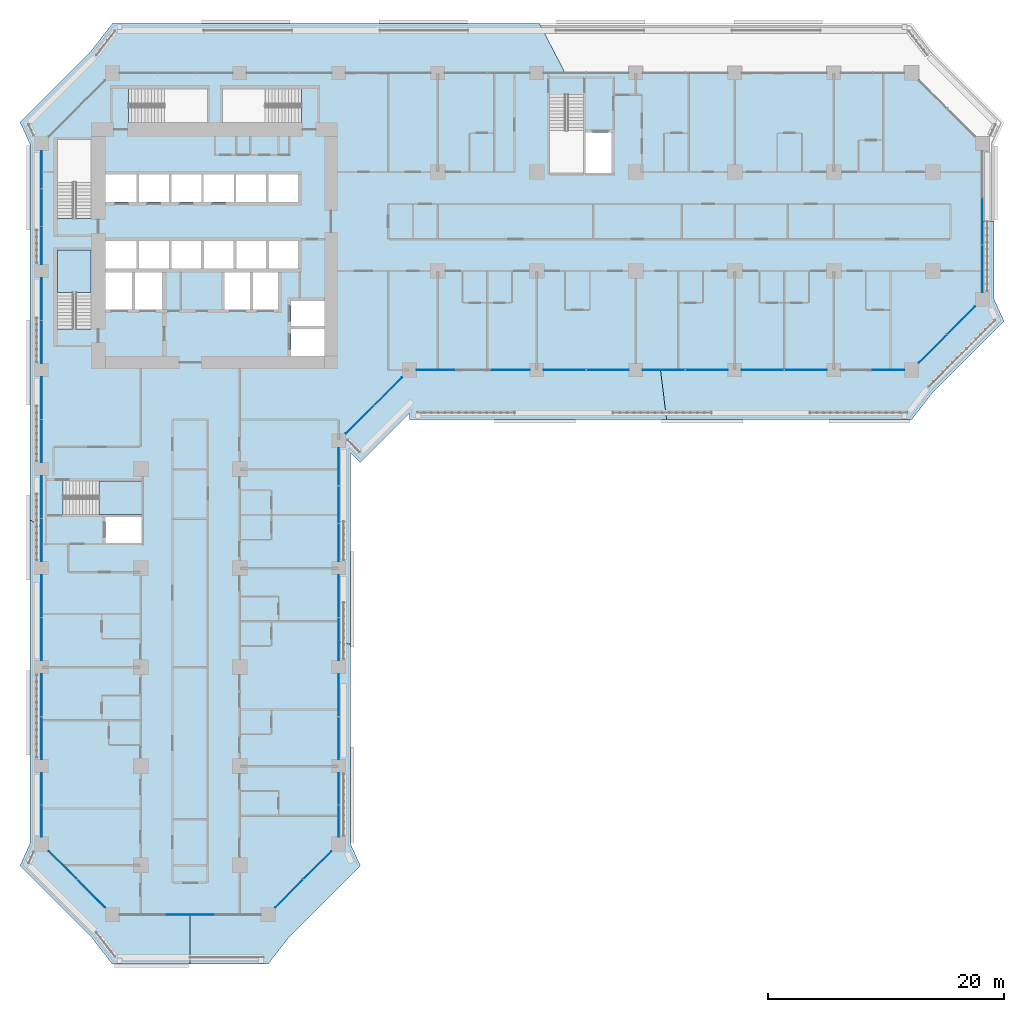
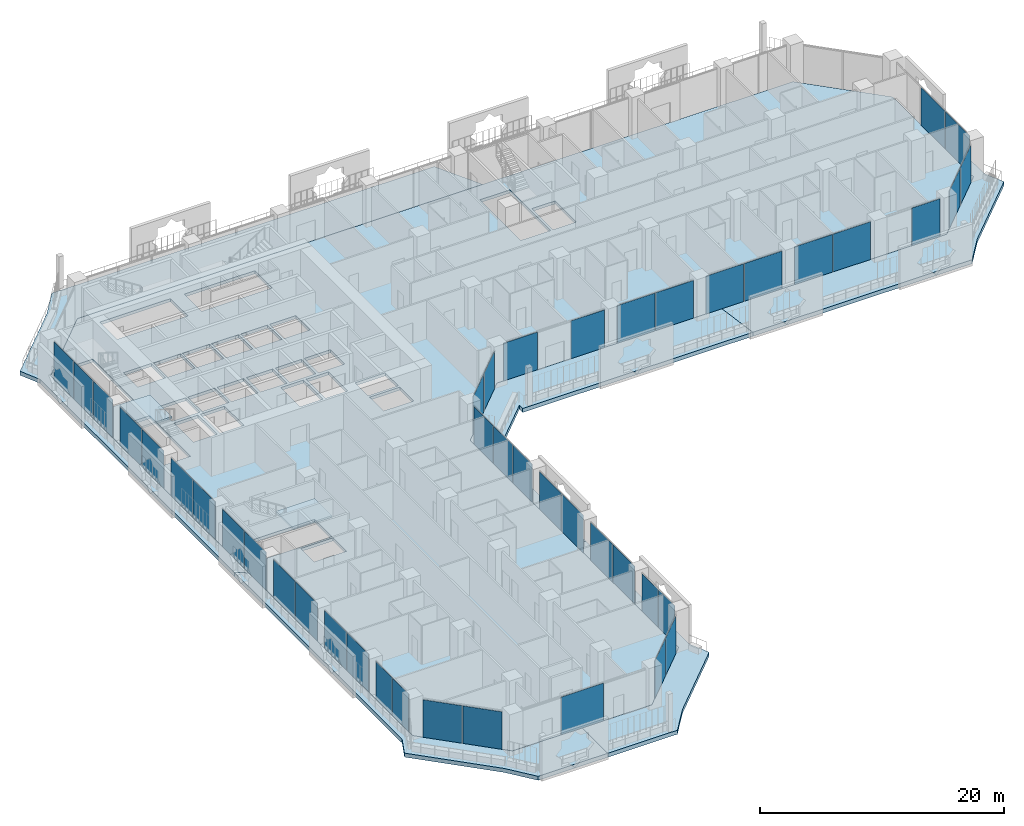
# One storey, part 11 of 29: 44 plates, 8 slabs, 11 elements without a shape of their own.
"""IFC4 building model written with IfcOpenShell, lengths in metres."""

from ifc_helpers import new_model, si_unit, direction, frame, origin, origin_2d, place, context, subcontext, project, spatial, polyline, rectangle, outline, extrude, material, layer, layer_set, type_object, element, aggregate, save


model = new_model("IFC4")

# Units and contexts
model_context = context("Model", 3, precision=1e-05, world=origin(), true_north=direction((0.0, 1.0)))
body_context = subcontext(model_context, "Body", "Model", "MODEL_VIEW")
ifc_project = project(units=[si_unit("LENGTHUNIT", "METRE"), si_unit("AREAUNIT", "SQUARE_METRE"), si_unit("VOLUMEUNIT", "CUBIC_METRE"), si_unit("PLANEANGLEUNIT", "RADIAN"), si_unit("MASSUNIT", "GRAM", prefix="KILO")], contexts=[model_context])

# Site, building, storey
site_placement = place(None, origin())
site = spatial("IfcSite", under=ifc_project, at=site_placement, CompositionType="ELEMENT")
building_placement = place(site_placement, origin())
building = spatial("IfcBuilding", under=site, at=building_placement, Name="Kawkab Arch Medical Tower", CompositionType="ELEMENT")
storey_placement = place(building_placement, frame((0.0, 0.0, 64.39990234375)))
storey = spatial("IfcBuildingStorey", under=building, at=storey_placement, Name="L14", CompositionType="ELEMENT", Elevation=64.39990234375)

# Curtain wall, plates
ifc_material_1 = material(Name="Bronze anodised aluminium curtain wall frame", Category="aluminium")
ifc_layer_1 = layer(ifc_material_1, 0.159912109375)
ifc_layer_set_1 = layer_set([ifc_layer_1], Name="Bronze anodised aluminium curtain wall frame")
curtain_wall_type_1 = type_object("IfcCurtainWallType", Name="CW1 ward curtain wall", PredefinedType="NOTDEFINED", material=ifc_layer_set_1)
placement_1 = place(storey_placement, origin())
curtain_wall_1 = element("IfcCurtainWall", 1, at=placement_1, inside=storey, type_object=curtain_wall_type_1, Name="CW1 Ward curtain wall R01", PredefinedType="NOTDEFINED")
ifc_material_2 = material(Name="Tinted insulating glass, bronze low-e coating", Category="glass")
ifc_layer_2 = layer(ifc_material_2, 0.031982421875)
ifc_layer_set_2 = layer_set([ifc_layer_2], Name="Tinted insulating glass, bronze low-e coating")
plate_type_1 = type_object("IfcPlateType", Name="CW1 glazing unit 32", PredefinedType="CURTAIN_PANEL", material=ifc_layer_set_2)
plate_1_placement = place(storey_placement, frame((0.0, -8.205810546875, 0.0), z_axis=(0.0, 0.0, 1.0), x_axis=(0.0, -1.0, 0.0)))
plate_1 = element("IfcPlate", 2, at=plate_1_placement, type_object=plate_type_1, Name="CW1 glazing unit 1.1", PredefinedType="CURTAIN_PANEL", context=body_context, shape_type="SweptSolid", body=[
    extrude(rectangle(XDim=3.16162109375, YDim=0.031982421875, at=origin_2d()), origin(), (0.0, 0.0, 1.0), 3.780029296875),
])
plate_2_placement = place(storey_placement, frame((0.0, -11.41259765625, 0.0), z_axis=(0.0, 0.0, 1.0), x_axis=(0.0, -1.0, 0.0)))
plate_2 = element("IfcPlate", 3, at=plate_2_placement, type_object=plate_type_1, Name="CW1 glazing unit 1.2", PredefinedType="CURTAIN_PANEL", context=body_context, shape_type="SweptSolid", body=[
    extrude(rectangle(XDim=3.131591796875, YDim=0.031982421875, at=origin_2d()), origin(), (0.0, 0.0, 1.0), 3.780029296875),
])
plate_3_placement = place(storey_placement, frame((0.0, -14.619140625, 0.0), z_axis=(0.0, 0.0, 1.0), x_axis=(0.0, -1.0, 0.0)))
plate_3 = element("IfcPlate", 4, at=plate_3_placement, type_object=plate_type_1, Name="CW1 glazing unit 1.3", PredefinedType="CURTAIN_PANEL", context=body_context, shape_type="SweptSolid", body=[
    extrude(rectangle(XDim=3.16162109375, YDim=0.031982421875, at=origin_2d()), origin(), (0.0, 0.0, 1.0), 3.780029296875),
])
plate_4_placement = place(storey_placement, frame((0.0, -19.18505859375, 0.0), z_axis=(0.0, 0.0, 1.0), x_axis=(0.0, -1.0, 0.0)))
plate_4 = element("IfcPlate", 5, at=plate_4_placement, type_object=plate_type_1, Name="CW1 glazing unit 2.1", PredefinedType="CURTAIN_PANEL", context=body_context, shape_type="SweptSolid", body=[
    extrude(rectangle(XDim=3.570068359375, YDim=0.031982421875, at=origin_2d()), origin(), (0.0, 0.0, 1.0), 3.780029296875),
])
plate_5_placement = place(storey_placement, frame((0.0, -22.81494140625, 0.0), z_axis=(0.0, 0.0, 1.0), x_axis=(0.0, -1.0, 0.0)))
plate_5 = element("IfcPlate", 6, at=plate_5_placement, type_object=plate_type_1, Name="CW1 glazing unit 2.2", PredefinedType="CURTAIN_PANEL", context=body_context, shape_type="SweptSolid", body=[
    extrude(rectangle(XDim=3.570068359375, YDim=0.031982421875, at=origin_2d()), origin(), (0.0, 0.0, 1.0), 3.780029296875),
])
plate_6_placement = place(storey_placement, frame((0.0, -27.5849609375, 0.0), z_axis=(0.0, 0.0, 1.0), x_axis=(0.0, -1.0, 0.0)))
plate_6 = element("IfcPlate", 7, at=plate_6_placement, type_object=plate_type_1, Name="CW1 glazing unit 3.1", PredefinedType="CURTAIN_PANEL", context=body_context, shape_type="SweptSolid", body=[
    extrude(rectangle(XDim=3.570068359375, YDim=0.031982421875, at=origin_2d()), origin(), (0.0, 0.0, 1.0), 3.780029296875),
])
plate_7_placement = place(storey_placement, frame((0.0, -31.215087890625, 0.0), z_axis=(0.0, 0.0, 1.0), x_axis=(0.0, -1.0, 0.0)))
plate_7 = element("IfcPlate", 8, at=plate_7_placement, type_object=plate_type_1, Name="CW1 glazing unit 3.2", PredefinedType="CURTAIN_PANEL", context=body_context, shape_type="SweptSolid", body=[
    extrude(rectangle(XDim=3.570068359375, YDim=0.031982421875, at=origin_2d()), origin(), (0.0, 0.0, 1.0), 3.780029296875),
])
plate_8_placement = place(storey_placement, frame((0.0, -35.985107421875, 0.0), z_axis=(0.0, 0.0, 1.0), x_axis=(0.0, -1.0, 0.0)))
plate_8 = element("IfcPlate", 9, at=plate_8_placement, type_object=plate_type_1, Name="CW1 glazing unit 4.1", PredefinedType="CURTAIN_PANEL", context=body_context, shape_type="SweptSolid", body=[
    extrude(rectangle(XDim=3.570068359375, YDim=0.031982421875, at=origin_2d()), origin(), (0.0, 0.0, 1.0), 3.780029296875),
])
plate_9_placement = place(storey_placement, frame((0.0, -39.614990234375, 0.0), z_axis=(0.0, 0.0, 1.0), x_axis=(0.0, -1.0, 0.0)))
plate_9 = element("IfcPlate", 10, at=plate_9_placement, type_object=plate_type_1, Name="CW1 glazing unit 4.2", PredefinedType="CURTAIN_PANEL", context=body_context, shape_type="SweptSolid", body=[
    extrude(rectangle(XDim=3.570068359375, YDim=0.031982421875, at=origin_2d()), origin(), (0.0, 0.0, 1.0), 3.780029296875),
])
plate_10_placement = place(storey_placement, frame((0.0, -44.385009765625, 0.0), z_axis=(0.0, 0.0, 1.0), x_axis=(0.0, -1.0, 0.0)))
plate_10 = element("IfcPlate", 11, at=plate_10_placement, type_object=plate_type_1, Name="CW1 glazing unit 5.1", PredefinedType="CURTAIN_PANEL", context=body_context, shape_type="SweptSolid", body=[
    extrude(rectangle(XDim=3.570068359375, YDim=0.031982421875, at=origin_2d()), origin(), (0.0, 0.0, 1.0), 3.780029296875),
])
plate_11_placement = place(storey_placement, frame((0.0, -48.014892578125, 0.0), z_axis=(0.0, 0.0, 1.0), x_axis=(0.0, -1.0, 0.0)))
plate_11 = element("IfcPlate", 12, at=plate_11_placement, type_object=plate_type_1, Name="CW1 glazing unit 5.2", PredefinedType="CURTAIN_PANEL", context=body_context, shape_type="SweptSolid", body=[
    extrude(rectangle(XDim=3.570068359375, YDim=0.031982421875, at=origin_2d()), origin(), (0.0, 0.0, 1.0), 3.780029296875),
])
plate_12_placement = place(storey_placement, frame((0.0, -52.784912109375, 0.0), z_axis=(0.0, 0.0, 1.0), x_axis=(0.0, -1.0, 0.0)))
plate_12 = element("IfcPlate", 13, at=plate_12_placement, type_object=plate_type_1, Name="CW1 glazing unit 6.1", PredefinedType="CURTAIN_PANEL", context=body_context, shape_type="SweptSolid", body=[
    extrude(rectangle(XDim=3.570068359375, YDim=0.031982421875, at=origin_2d()), origin(), (0.0, 0.0, 1.0), 3.780029296875),
])
plate_13_placement = place(storey_placement, frame((0.0, -56.4150390625, 0.0), z_axis=(0.0, 0.0, 1.0), x_axis=(0.0, -1.0, 0.0)))
plate_13 = element("IfcPlate", 14, at=plate_13_placement, type_object=plate_type_1, Name="CW1 glazing unit 6.2", PredefinedType="CURTAIN_PANEL", context=body_context, shape_type="SweptSolid", body=[
    extrude(rectangle(XDim=3.570068359375, YDim=0.031982421875, at=origin_2d()), origin(), (0.0, 0.0, 1.0), 3.780029296875),
])
plate_14_placement = place(storey_placement, frame((0.0, -60.728759765625, 0.0), z_axis=(0.0, 0.0, 1.0), x_axis=(0.0, -1.0, 0.0)))
plate_14 = element("IfcPlate", 15, at=plate_14_placement, type_object=plate_type_1, Name="CW1 glazing unit 7.1", PredefinedType="CURTAIN_PANEL", context=body_context, shape_type="SweptSolid", body=[
    extrude(rectangle(XDim=2.657470703125, YDim=0.031982421875, at=origin_2d()), origin(), (0.0, 0.0, 1.0), 3.780029296875),
])
plate_15_placement = place(storey_placement, frame((0.0, -63.4462890625, 0.0), z_axis=(0.0, 0.0, 1.0), x_axis=(0.0, -1.0, 0.0)))
plate_15 = element("IfcPlate", 16, at=plate_15_placement, type_object=plate_type_1, Name="CW1 glazing unit 7.2", PredefinedType="CURTAIN_PANEL", context=body_context, shape_type="SweptSolid", body=[
    extrude(rectangle(XDim=2.657470703125, YDim=0.031982421875, at=origin_2d()), origin(), (0.0, 0.0, 1.0), 3.780029296875),
])
aggregate(curtain_wall_1, [plate_1, plate_2, plate_3, plate_4, plate_5, plate_6, plate_7, plate_8, plate_9, plate_10, plate_11, plate_12, plate_13, plate_14, plate_15])

# Curtain wall, plate
curtain_wall_2 = element("IfcCurtainWall", 17, at=placement_1, inside=storey, type_object=curtain_wall_type_1, Name="CW1 Ward curtain wall R03", PredefinedType="NOTDEFINED")
plate_16_placement = place(storey_placement, frame((12.60009765625, -71.39990234375, 0.0), z_axis=(0.0, 0.0, 1.0), x_axis=(1.0, 0.0, 0.0)))
plate_16 = element("IfcPlate", 18, at=plate_16_placement, type_object=plate_type_1, Name="CW1 glazing unit 1.2", PredefinedType="CURTAIN_PANEL", context=body_context, shape_type="SweptSolid", body=[
    extrude(rectangle(XDim=3.9833984375, YDim=0.031982421875, at=origin_2d()), origin(), (0.0, 0.0, 1.0), 3.780029296875),
])
aggregate(curtain_wall_2, [plate_16])

# Curtain wall, plates
curtain_wall_3 = element("IfcCurtainWall", 19, at=placement_1, inside=storey, type_object=curtain_wall_type_1, Name="CW1 Ward curtain wall R05", PredefinedType="NOTDEFINED")
plate_17_placement = place(storey_placement, frame((25.199951171875, -63.4462890625, 0.0), z_axis=(0.0, 0.0, 1.0), x_axis=(0.0, 1.0, 0.0)))
plate_17 = element("IfcPlate", 20, at=plate_17_placement, type_object=plate_type_1, Name="CW1 glazing unit 1.1", PredefinedType="CURTAIN_PANEL", context=body_context, shape_type="SweptSolid", body=[
    extrude(rectangle(XDim=2.657470703125, YDim=0.031982421875, at=origin_2d()), origin(), (0.0, 0.0, 1.0), 3.780029296875),
])
plate_18_placement = place(storey_placement, frame((25.199951171875, -60.728759765625, 0.0), z_axis=(0.0, 0.0, 1.0), x_axis=(0.0, 1.0, 0.0)))
plate_18 = element("IfcPlate", 21, at=plate_18_placement, type_object=plate_type_1, Name="CW1 glazing unit 1.2", PredefinedType="CURTAIN_PANEL", context=body_context, shape_type="SweptSolid", body=[
    extrude(rectangle(XDim=2.657470703125, YDim=0.031982421875, at=origin_2d()), origin(), (0.0, 0.0, 1.0), 3.780029296875),
])
plate_19_placement = place(storey_placement, frame((25.199951171875, -56.4150390625, 0.0), z_axis=(0.0, 0.0, 1.0), x_axis=(0.0, 1.0, 0.0)))
plate_19 = element("IfcPlate", 22, at=plate_19_placement, type_object=plate_type_1, Name="CW1 glazing unit 2.1", PredefinedType="CURTAIN_PANEL", context=body_context, shape_type="SweptSolid", body=[
    extrude(rectangle(XDim=3.570068359375, YDim=0.031982421875, at=origin_2d()), origin(), (0.0, 0.0, 1.0), 3.780029296875),
])
plate_20_placement = place(storey_placement, frame((25.199951171875, -52.784912109375, 0.0), z_axis=(0.0, 0.0, 1.0), x_axis=(0.0, 1.0, 0.0)))
plate_20 = element("IfcPlate", 23, at=plate_20_placement, type_object=plate_type_1, Name="CW1 glazing unit 2.2", PredefinedType="CURTAIN_PANEL", context=body_context, shape_type="SweptSolid", body=[
    extrude(rectangle(XDim=3.570068359375, YDim=0.031982421875, at=origin_2d()), origin(), (0.0, 0.0, 1.0), 3.780029296875),
])
plate_21_placement = place(storey_placement, frame((25.199951171875, -48.014892578125, 0.0), z_axis=(0.0, 0.0, 1.0), x_axis=(0.0, 1.0, 0.0)))
plate_21 = element("IfcPlate", 24, at=plate_21_placement, type_object=plate_type_1, Name="CW1 glazing unit 3.1", PredefinedType="CURTAIN_PANEL", context=body_context, shape_type="SweptSolid", body=[
    extrude(rectangle(XDim=3.570068359375, YDim=0.031982421875, at=origin_2d()), origin(), (0.0, 0.0, 1.0), 3.780029296875),
])
plate_22_placement = place(storey_placement, frame((25.199951171875, -44.385009765625, 0.0), z_axis=(0.0, 0.0, 1.0), x_axis=(0.0, 1.0, 0.0)))
plate_22 = element("IfcPlate", 25, at=plate_22_placement, type_object=plate_type_1, Name="CW1 glazing unit 3.2", PredefinedType="CURTAIN_PANEL", context=body_context, shape_type="SweptSolid", body=[
    extrude(rectangle(XDim=3.570068359375, YDim=0.031982421875, at=origin_2d()), origin(), (0.0, 0.0, 1.0), 3.780029296875),
])
plate_23_placement = place(storey_placement, frame((25.199951171875, -39.819091796875, 0.0), z_axis=(0.0, 0.0, 1.0), x_axis=(0.0, 1.0, 0.0)))
plate_23 = element("IfcPlate", 26, at=plate_23_placement, type_object=plate_type_1, Name="CW1 glazing unit 4.1", PredefinedType="CURTAIN_PANEL", context=body_context, shape_type="SweptSolid", body=[
    extrude(rectangle(XDim=3.16162109375, YDim=0.031982421875, at=origin_2d()), origin(), (0.0, 0.0, 1.0), 3.780029296875),
])
plate_24_placement = place(storey_placement, frame((25.199951171875, -36.612548828125, 0.0), z_axis=(0.0, 0.0, 1.0), x_axis=(0.0, 1.0, 0.0)))
plate_24 = element("IfcPlate", 27, at=plate_24_placement, type_object=plate_type_1, Name="CW1 glazing unit 4.2", PredefinedType="CURTAIN_PANEL", context=body_context, shape_type="SweptSolid", body=[
    extrude(rectangle(XDim=3.131591796875, YDim=0.031982421875, at=origin_2d()), origin(), (0.0, 0.0, 1.0), 3.780029296875),
])
plate_25_placement = place(storey_placement, frame((25.199951171875, -33.40576171875, 0.0), z_axis=(0.0, 0.0, 1.0), x_axis=(0.0, 1.0, 0.0)))
plate_25 = element("IfcPlate", 28, at=plate_25_placement, type_object=plate_type_1, Name="CW1 glazing unit 4.3", PredefinedType="CURTAIN_PANEL", context=body_context, shape_type="SweptSolid", body=[
    extrude(rectangle(XDim=3.16162109375, YDim=0.031982421875, at=origin_2d()), origin(), (0.0, 0.0, 1.0), 3.780029296875),
])
aggregate(curtain_wall_3, [plate_17, plate_18, plate_19, plate_20, plate_21, plate_22, plate_23, plate_24, plate_25])

curtain_wall_4 = element("IfcCurtainWall", 29, at=placement_1, inside=storey, type_object=curtain_wall_type_1, Name="CW1 Ward curtain wall R07", PredefinedType="NOTDEFINED")
plate_26_placement = place(storey_placement, frame((33.4208984375, -25.199951171875, 0.0), z_axis=(0.0, 0.0, 1.0), x_axis=(1.0, 0.0, 0.0)))
plate_26 = element("IfcPlate", 30, at=plate_26_placement, type_object=plate_type_1, Name="CW1 glazing unit 1.1", PredefinedType="CURTAIN_PANEL", context=body_context, shape_type="SweptSolid", body=[
    extrude(rectangle(XDim=3.191650390625, YDim=0.031982421875, at=origin_2d()), origin(), (0.0, 0.0, 1.0), 3.780029296875),
])
plate_27_placement = place(storey_placement, frame((39.80419921875, -25.199951171875, 0.0), z_axis=(0.0, 0.0, 1.0), x_axis=(1.0, 0.0, 0.0)))
plate_27 = element("IfcPlate", 31, at=plate_27_placement, type_object=plate_type_1, Name="CW1 glazing unit 1.3", PredefinedType="CURTAIN_PANEL", context=body_context, shape_type="SweptSolid", body=[
    extrude(rectangle(XDim=3.191650390625, YDim=0.031982421875, at=origin_2d()), origin(), (0.0, 0.0, 1.0), 3.780029296875),
])
plate_28_placement = place(storey_placement, frame((44.385009765625, -25.199951171875, 0.0), z_axis=(0.0, 0.0, 1.0), x_axis=(1.0, 0.0, 0.0)))
plate_28 = element("IfcPlate", 32, at=plate_28_placement, type_object=plate_type_1, Name="CW1 glazing unit 2.1", PredefinedType="CURTAIN_PANEL", context=body_context, shape_type="SweptSolid", body=[
    extrude(rectangle(XDim=3.570068359375, YDim=0.031982421875, at=origin_2d()), origin(), (0.0, 0.0, 1.0), 3.780029296875),
])
plate_29_placement = place(storey_placement, frame((48.014892578125, -25.199951171875, 0.0), z_axis=(0.0, 0.0, 1.0), x_axis=(1.0, 0.0, 0.0)))
plate_29 = element("IfcPlate", 33, at=plate_29_placement, type_object=plate_type_1, Name="CW1 glazing unit 2.2", PredefinedType="CURTAIN_PANEL", context=body_context, shape_type="SweptSolid", body=[
    extrude(rectangle(XDim=3.570068359375, YDim=0.031982421875, at=origin_2d()), origin(), (0.0, 0.0, 1.0), 3.780029296875),
])
plate_30_placement = place(storey_placement, frame((52.784912109375, -25.199951171875, 0.0), z_axis=(0.0, 0.0, 1.0), x_axis=(1.0, 0.0, 0.0)))
plate_30 = element("IfcPlate", 34, at=plate_30_placement, type_object=plate_type_1, Name="CW1 glazing unit 3.1", PredefinedType="CURTAIN_PANEL", context=body_context, shape_type="SweptSolid", body=[
    extrude(rectangle(XDim=3.570068359375, YDim=0.031982421875, at=origin_2d()), origin(), (0.0, 0.0, 1.0), 3.780029296875),
])
plate_31_placement = place(storey_placement, frame((56.4150390625, -25.199951171875, 0.0), z_axis=(0.0, 0.0, 1.0), x_axis=(1.0, 0.0, 0.0)))
plate_31 = element("IfcPlate", 35, at=plate_31_placement, type_object=plate_type_1, Name="CW1 glazing unit 3.2", PredefinedType="CURTAIN_PANEL", context=body_context, shape_type="SweptSolid", body=[
    extrude(rectangle(XDim=3.570068359375, YDim=0.031982421875, at=origin_2d()), origin(), (0.0, 0.0, 1.0), 3.780029296875),
])
plate_32_placement = place(storey_placement, frame((61.18505859375, -25.199951171875, 0.0), z_axis=(0.0, 0.0, 1.0), x_axis=(1.0, 0.0, 0.0)))
plate_32 = element("IfcPlate", 36, at=plate_32_placement, type_object=plate_type_1, Name="CW1 glazing unit 4.1", PredefinedType="CURTAIN_PANEL", context=body_context, shape_type="SweptSolid", body=[
    extrude(rectangle(XDim=3.570068359375, YDim=0.031982421875, at=origin_2d()), origin(), (0.0, 0.0, 1.0), 3.780029296875),
])
plate_33_placement = place(storey_placement, frame((64.81494140625, -25.199951171875, 0.0), z_axis=(0.0, 0.0, 1.0), x_axis=(1.0, 0.0, 0.0)))
plate_33 = element("IfcPlate", 37, at=plate_33_placement, type_object=plate_type_1, Name="CW1 glazing unit 4.2", PredefinedType="CURTAIN_PANEL", context=body_context, shape_type="SweptSolid", body=[
    extrude(rectangle(XDim=3.570068359375, YDim=0.031982421875, at=origin_2d()), origin(), (0.0, 0.0, 1.0), 3.780029296875),
])
plate_34_placement = place(storey_placement, frame((71.831298828125, -25.199951171875, 0.0), z_axis=(0.0, 0.0, 1.0), x_axis=(1.0, 0.0, 0.0)))
plate_34 = element("IfcPlate", 38, at=plate_34_placement, type_object=plate_type_1, Name="CW1 glazing unit 5.2", PredefinedType="CURTAIN_PANEL", context=body_context, shape_type="SweptSolid", body=[
    extrude(rectangle(XDim=2.6875, YDim=0.031982421875, at=origin_2d()), origin(), (0.0, 0.0, 1.0), 3.780029296875),
])
aggregate(curtain_wall_4, [plate_26, plate_27, plate_28, plate_29, plate_30, plate_31, plate_32, plate_33, plate_34])

curtain_wall_5 = element("IfcCurtainWall", 39, at=placement_1, inside=storey, type_object=curtain_wall_type_1, Name="CW1 Ward curtain wall R09", PredefinedType="NOTDEFINED")
plate_35_placement = place(storey_placement, frame((79.800048828125, -16.598388671875, 0.0), z_axis=(0.0, 0.0, 1.0), x_axis=(0.0, 1.0, 0.0)))
plate_35 = element("IfcPlate", 40, at=plate_35_placement, type_object=plate_type_1, Name="CW1 glazing unit 1.1", PredefinedType="CURTAIN_PANEL", context=body_context, shape_type="SweptSolid", body=[
    extrude(rectangle(XDim=3.953369140625, YDim=0.031982421875, at=origin_2d()), origin(), (0.0, 0.0, 1.0), 3.780029296875),
])
plate_36_placement = place(storey_placement, frame((79.800048828125, -12.60009765625, 0.0), z_axis=(0.0, 0.0, 1.0), x_axis=(0.0, 1.0, 0.0)))
plate_36 = element("IfcPlate", 41, at=plate_36_placement, type_object=plate_type_1, Name="CW1 glazing unit 1.2", PredefinedType="CURTAIN_PANEL", context=body_context, shape_type="SweptSolid", body=[
    extrude(rectangle(XDim=3.92333984375, YDim=0.031982421875, at=origin_2d()), origin(), (0.0, 0.0, 1.0), 3.780029296875),
])
aggregate(curtain_wall_5, [plate_35, plate_36])

ifc_material_3 = material(Name="Bronze anodised aluminium curtain wall frame", Category="aluminium")
ifc_layer_3 = layer(ifc_material_3, 0.159912109375)
ifc_layer_set_3 = layer_set([ifc_layer_3], Name="Bronze anodised aluminium curtain wall frame")
curtain_wall_type_2 = type_object("IfcCurtainWallType", Name="CW2 chamfer curtain wall", PredefinedType="NOTDEFINED", material=ifc_layer_set_3)
curtain_wall_6 = element("IfcCurtainWall", 42, at=placement_1, inside=storey, type_object=curtain_wall_type_2, Name="CW2 Chamfer curtain wall R02", PredefinedType="NOTDEFINED")
ifc_material_4 = material(Name="Tinted insulating glass, bronze low-e coating", Category="glass")
ifc_layer_4 = layer(ifc_material_4, 0.031982421875)
ifc_layer_set_4 = layer_set([ifc_layer_4], Name="Tinted insulating glass, bronze low-e coating")
plate_type_2 = type_object("IfcPlateType", Name="CW2 glazing unit 32", PredefinedType="CURTAIN_PANEL", material=ifc_layer_set_4)
plate_37_placement = place(storey_placement, frame((1.802001953125, -67.201904296875, 0.0), z_axis=(0.0, 0.0, 1.0), x_axis=(0.707106781187, -0.707106781187, 0.0)))
plate_37 = element("IfcPlate", 43, at=plate_37_placement, type_object=plate_type_2, Name="CW2 glazing unit 1.1", PredefinedType="CURTAIN_PANEL", context=body_context, shape_type="SweptSolid", body=[
    extrude(rectangle(XDim=3.328857421875, YDim=0.031982421875, at=origin_2d()), origin(), (0.0, 0.0, 1.0), 3.760009765625),
])
plate_38_placement = place(storey_placement, frame((4.197998046875, -69.59814453125, 0.0), z_axis=(0.0, 0.0, 1.0), x_axis=(0.707106781187, -0.707106781187, 0.0)))
plate_38 = element("IfcPlate", 44, at=plate_38_placement, type_object=plate_type_2, Name="CW2 glazing unit 1.2", PredefinedType="CURTAIN_PANEL", context=body_context, shape_type="SweptSolid", body=[
    extrude(rectangle(XDim=3.328857421875, YDim=0.031982421875, at=origin_2d()), origin(), (0.0, 0.0, 1.0), 3.760009765625),
])
aggregate(curtain_wall_6, [plate_37, plate_38])

curtain_wall_7 = element("IfcCurtainWall", 45, at=placement_1, inside=storey, type_object=curtain_wall_type_2, Name="CW2 Chamfer curtain wall R04", PredefinedType="NOTDEFINED")
plate_39_placement = place(storey_placement, frame((21.001953125, -69.59814453125, 0.0), z_axis=(0.0, 0.0, 1.0), x_axis=(0.707106781187, 0.707106781187, 0.0)))
plate_39 = element("IfcPlate", 46, at=plate_39_placement, type_object=plate_type_2, Name="CW2 glazing unit 1.1", PredefinedType="CURTAIN_PANEL", context=body_context, shape_type="SweptSolid", body=[
    extrude(rectangle(XDim=3.328857421875, YDim=0.031982421875, at=origin_2d()), origin(), (0.0, 0.0, 1.0), 3.760009765625),
])
plate_40_placement = place(storey_placement, frame((23.398193359375, -67.201904296875, 0.0), z_axis=(0.0, 0.0, 1.0), x_axis=(0.707106781187, 0.707106781187, 0.0)))
plate_40 = element("IfcPlate", 47, at=plate_40_placement, type_object=plate_type_2, Name="CW2 glazing unit 1.2", PredefinedType="CURTAIN_PANEL", context=body_context, shape_type="SweptSolid", body=[
    extrude(rectangle(XDim=3.328857421875, YDim=0.031982421875, at=origin_2d()), origin(), (0.0, 0.0, 1.0), 3.760009765625),
])
aggregate(curtain_wall_7, [plate_39, plate_40])

curtain_wall_8 = element("IfcCurtainWall", 48, at=placement_1, inside=storey, type_object=curtain_wall_type_2, Name="CW2 Chamfer curtain wall R06", PredefinedType="NOTDEFINED")
plate_41_placement = place(storey_placement, frame((27.001953125, -29.398193359375, 0.0), z_axis=(0.0, 0.0, 1.0), x_axis=(0.707106781187, 0.707106781187, 0.0)))
plate_41 = element("IfcPlate", 49, at=plate_41_placement, type_object=plate_type_2, Name="CW2 glazing unit 1.1", PredefinedType="CURTAIN_PANEL", context=body_context, shape_type="SweptSolid", body=[
    extrude(rectangle(XDim=3.328857421875, YDim=0.031982421875, at=origin_2d()), origin(), (0.0, 0.0, 1.0), 3.760009765625),
])
plate_42_placement = place(storey_placement, frame((29.398193359375, -27.001953125, 0.0), z_axis=(0.0, 0.0, 1.0), x_axis=(0.707106781187, 0.707106781187, 0.0)))
plate_42 = element("IfcPlate", 50, at=plate_42_placement, type_object=plate_type_2, Name="CW2 glazing unit 1.2", PredefinedType="CURTAIN_PANEL", context=body_context, shape_type="SweptSolid", body=[
    extrude(rectangle(XDim=3.328857421875, YDim=0.031982421875, at=origin_2d()), origin(), (0.0, 0.0, 1.0), 3.760009765625),
])
aggregate(curtain_wall_8, [plate_41, plate_42])

curtain_wall_9 = element("IfcCurtainWall", 51, at=placement_1, inside=storey, type_object=curtain_wall_type_2, Name="CW2 Chamfer curtain wall R08", PredefinedType="NOTDEFINED")
plate_43_placement = place(storey_placement, frame((75.601806640625, -23.398193359375, 0.0), z_axis=(0.0, 0.0, 1.0), x_axis=(0.707106781187, 0.707106781187, 0.0)))
plate_43 = element("IfcPlate", 52, at=plate_43_placement, type_object=plate_type_2, Name="CW2 glazing unit 1.1", PredefinedType="CURTAIN_PANEL", context=body_context, shape_type="SweptSolid", body=[
    extrude(rectangle(XDim=3.328857421875, YDim=0.031982421875, at=origin_2d()), origin(), (0.0, 0.0, 1.0), 3.760009765625),
])
plate_44_placement = place(storey_placement, frame((77.998046875, -21.001953125, 0.0), z_axis=(0.0, 0.0, 1.0), x_axis=(0.707106781187, 0.707106781187, 0.0)))
plate_44 = element("IfcPlate", 53, at=plate_44_placement, type_object=plate_type_2, Name="CW2 glazing unit 1.2", PredefinedType="CURTAIN_PANEL", context=body_context, shape_type="SweptSolid", body=[
    extrude(rectangle(XDim=3.328857421875, YDim=0.031982421875, at=origin_2d()), origin(), (0.0, 0.0, 1.0), 3.760009765625),
])
aggregate(curtain_wall_9, [plate_43, plate_44])

# Stair, slab
ifc_material_5 = material(Name="Concrete C40/50", Category="concrete")
stair_type = type_object("IfcStairType", Name="Exit stair 1350", PredefinedType="HALF_TURN_STAIR", material=ifc_material_5)
stair_1 = element("IfcStair", 54, at=placement_1, inside=storey, type_object=stair_type, Name="L14 Exit stair ST2", PredefinedType="HALF_TURN_STAIR")
ifc_material_6 = material(Name="Concrete C40/50", Category="concrete")
ifc_layer_5 = layer(ifc_material_6, 0.199951171875)
ifc_layer_set_5 = layer_set([ifc_layer_5], Name="Concrete C40/50")
slab_type_1 = type_object("IfcSlabType", Name="Exit stair landing 200", PredefinedType="LANDING", material=ifc_layer_set_5)
placement_2 = place(storey_placement, frame((0.0, 0.0, 1.900146484375)))
slab_1 = element("IfcSlab", 55, at=placement_2, type_object=slab_type_1, Name="ST2 landing 1", PredefinedType="LANDING", context=body_context, shape_type="SweptSolid", body=[
    extrude(outline(polyline([(4.199951171875, -18.6201171875), (4.199951171875, -15.0), (1.35009765625, -15.0), (1.35009765625, -18.6201171875), (4.199951171875, -18.6201171875)])), origin(), (0.0, 0.0, 1.0), 0.199951171875),
])
aggregate(stair_1, [slab_1])

stair_2 = element("IfcStair", 56, at=placement_1, inside=storey, type_object=stair_type, Name="L14 Exit stair ST6", PredefinedType="HALF_TURN_STAIR")
slab_2 = element("IfcSlab", 57, at=placement_2, type_object=slab_type_1, Name="ST6 landing 1", PredefinedType="LANDING", context=body_context, shape_type="SweptSolid", body=[
    extrude(outline(polyline([(4.8798828125, -37.449951171875), (8.5, -37.449951171875), (8.5, -34.60009765625), (4.8798828125, -34.60009765625), (4.8798828125, -37.449951171875)])), origin(), (0.0, 0.0, 1.0), 0.199951171875),
])
aggregate(stair_2, [slab_2])

# Slabs
ifc_material_7 = material(Name="Concrete C40/50", Category="concrete")
ifc_layer_6 = layer(ifc_material_7, 0.300048828125)
ifc_layer_set_6 = layer_set([ifc_layer_6], Name="Concrete C40/50")
slab_type_2 = type_object("IfcSlabType", Name="Flat plate 300 C40/50", PredefinedType="FLOOR", material=ifc_layer_set_6)
slab_3_placement = place(storey_placement, frame((0.0, 0.0, -0.2998046875)))
element("IfcSlab", 58, at=slab_3_placement, inside=storey, type_object=slab_type_2, Name="Floor slab L14", PredefinedType="FLOOR", context=body_context, shape_type="SweptSolid", body=[
    extrude(outline(polyline([(6.0, 0.0), (73.800048828125, 0.0), (79.800048828125, -6.0), (79.800048828125, -19.199951171875), (73.800048828125, -25.199951171875), (31.199951171875, -25.199951171875), (25.199951171875, -31.199951171875), (25.199951171875, -65.39990234375), (19.199951171875, -71.39990234375), (6.0, -71.39990234375), (0.0, -65.39990234375), (0.0, -6.0), (6.0, 0.0)]), holes=[polyline([(5.425048828125, -37.64990234375), (5.425048828125, -39.85009765625), (8.5, -39.85009765625), (8.5, -37.64990234375), (5.425048828125, -37.64990234375)]), polyline([(1.800048828125, -37.449951171875), (8.5, -37.449951171875), (8.5, -34.60009765625), (1.800048828125, -34.60009765625), (1.800048828125, -37.449951171875)]), polyline([(5.39990234375, -16.89990234375), (5.39990234375, -20.050048828125), (7.675048828125, -20.050048828125), (7.675048828125, -16.89990234375), (5.39990234375, -16.89990234375)]), polyline([(10.199951171875, -16.89990234375), (7.925048828125, -16.89990234375), (7.925048828125, -20.050048828125), (10.199951171875, -20.050048828125), (10.199951171875, -16.89990234375)]), polyline([(4.199951171875, -21.699951171875), (4.199951171875, -15.0), (1.35009765625, -15.0), (1.35009765625, -21.699951171875), (4.199951171875, -21.699951171875)]), polyline([(5.39990234375, -14.25), (5.39990234375, -16.60009765625), (8.050048828125, -16.60009765625), (8.050048828125, -14.25), (5.39990234375, -14.25)]), polyline([(10.800048828125, -14.25), (8.25, -14.25), (8.25, -16.60009765625), (10.800048828125, -16.60009765625), (10.800048828125, -14.25)]), polyline([(11.0, -14.25), (11.0, -16.60009765625), (13.52490234375, -16.60009765625), (13.52490234375, -14.25), (11.0, -14.25)]), polyline([(5.39990234375, -8.60009765625), (5.39990234375, -10.949951171875), (8.050048828125, -10.949951171875), (8.050048828125, -8.60009765625), (5.39990234375, -8.60009765625)]), polyline([(10.800048828125, -8.60009765625), (8.25, -8.60009765625), (8.25, -10.949951171875), (10.800048828125, -10.949951171875), (10.800048828125, -8.60009765625)]), polyline([(11.0, -10.949951171875), (13.550048828125, -10.949951171875), (13.550048828125, -8.60009765625), (11.0, -8.60009765625), (11.0, -10.949951171875)]), polyline([(4.199951171875, -12.35009765625), (4.199951171875, -5.64990234375), (1.35009765625, -5.64990234375), (1.35009765625, -12.35009765625), (4.199951171875, -12.35009765625)]), polyline([(7.35009765625, -4.199951171875), (14.050048828125, -4.199951171875), (14.050048828125, -1.35009765625), (7.35009765625, -1.35009765625), (7.35009765625, -4.199951171875)]), polyline([(24.0, -21.72509765625), (21.14990234375, -21.72509765625), (21.14990234375, -24.0), (24.0, -24.0), (24.0, -21.72509765625)]), polyline([(24.0, -21.47509765625), (24.0, -19.35009765625), (21.14990234375, -19.35009765625), (21.14990234375, -21.47509765625), (24.0, -21.47509765625)]), polyline([(15.52490234375, -16.89990234375), (15.52490234375, -20.050048828125), (17.675048828125, -20.050048828125), (17.675048828125, -16.89990234375), (15.52490234375, -16.89990234375)]), polyline([(17.925048828125, -20.050048828125), (20.050048828125, -20.050048828125), (20.050048828125, -16.89990234375), (17.925048828125, -16.89990234375), (17.925048828125, -20.050048828125)]), polyline([(16.27490234375, -14.25), (13.77490234375, -14.25), (13.77490234375, -16.60009765625), (16.27490234375, -16.60009765625), (16.27490234375, -14.25)]), polyline([(19.02490234375, -14.25), (16.52490234375, -14.25), (16.52490234375, -16.60009765625), (19.02490234375, -16.60009765625), (19.02490234375, -14.25)]), polyline([(19.27490234375, -16.60009765625), (21.75, -16.60009765625), (21.75, -14.25), (19.27490234375, -14.25), (19.27490234375, -16.60009765625)]), polyline([(13.75, -8.60009765625), (13.75, -10.949951171875), (16.300048828125, -10.949951171875), (16.300048828125, -8.60009765625), (13.75, -8.60009765625)]), polyline([(16.5, -8.60009765625), (16.5, -10.949951171875), (19.050048828125, -10.949951171875), (19.050048828125, -8.60009765625), (16.5, -8.60009765625)]), polyline([(19.25, -10.949951171875), (21.75, -10.949951171875), (21.75, -8.60009765625), (19.25, -8.60009765625), (19.25, -10.949951171875)]), polyline([(46.14990234375, -5.02490234375), (46.14990234375, -8.5), (48.35009765625, -8.5), (48.35009765625, -5.02490234375), (46.14990234375, -5.02490234375)]), polyline([(43.10009765625, -1.800048828125), (43.10009765625, -8.5), (45.949951171875, -8.5), (45.949951171875, -1.800048828125), (43.10009765625, -1.800048828125)]), polyline([(22.050048828125, -1.35009765625), (15.35009765625, -1.35009765625), (15.35009765625, -4.199951171875), (22.050048828125, -4.199951171875), (22.050048828125, -1.35009765625)])]), origin(), (0.0, 0.0, 1.0), 0.2998046875),
])
ifc_material_8 = material(Name="Concrete C40/50", Category="concrete")
ifc_layer_7 = layer(ifc_material_8, 0.39990234375)
ifc_layer_set_7 = layer_set([ifc_layer_7], Name="Concrete C40/50")
slab_type_3 = type_object("IfcSlabType", Name="Loggia slab 400", PredefinedType="FLOOR", material=ifc_layer_set_7)
placement_3 = place(storey_placement, frame((0.0, 0.0, -0.39990234375)))
element("IfcSlab", 59, at=placement_3, inside=storey, type_object=slab_type_3, Name="Loggia slab L14.1", PredefinedType="FLOOR", context=body_context, shape_type="SweptSolid", body=[
    extrude(outline(polyline([(12.60009765625, -75.60009765625), (12.60009765625, -71.40087890625), (19.199951171875, -71.40087890625), (19.199951171875, -71.39990234375), (25.199951171875, -65.39990234375), (25.199951171875, -48.300048828125), (26.199951171875, -48.449951171875), (26.199951171875, -65.39990234375), (27.0380859375, -67.238037109375), (21.0380859375, -73.238037109375), (19.199951171875, -75.60009765625), (12.60009765625, -75.60009765625)])), origin(), (0.0, 0.0, 1.0), 0.39990234375),
])
element("IfcSlab", 60, at=placement_3, inside=storey, type_object=slab_type_3, Name="Loggia slab L14.2", PredefinedType="FLOOR", context=body_context, shape_type="SweptSolid", body=[
    extrude(outline(polyline([(4.162109375, -73.238037109375), (-1.837890625, -67.238037109375), (-1.0, -65.39990234375), (-1.0, -37.89501953125), (-0.0009765625, -38.52001953125), (-0.0009765625, -65.39990234375), (0.0, -65.39990234375), (6.0, -71.39990234375), (6.0, -71.40087890625), (12.60009765625, -71.40087890625), (12.60009765625, -75.60009765625), (6.0, -75.60009765625), (4.162109375, -73.238037109375)])), origin(), (0.0, 0.0, 1.0), 0.39990234375),
])
element("IfcSlab", 61, at=placement_3, inside=storey, type_object=slab_type_3, Name="Loggia slab L14.3", PredefinedType="FLOOR", context=body_context, shape_type="SweptSolid", body=[
    extrude(outline(polyline([(31.199951171875, -28.8759765625), (27.0380859375, -33.037109375), (26.199951171875, -32.198974609375), (26.199951171875, -48.448974609375), (25.199951171875, -48.300048828125), (25.199951171875, -31.199951171875), (31.199951171875, -25.199951171875), (52.5, -25.199951171875), (53.01806640625, -29.39990234375), (31.199951171875, -29.39990234375), (31.199951171875, -28.8759765625)])), origin(), (0.0, 0.0, 1.0), 0.39990234375),
])
element("IfcSlab", 62, at=placement_3, inside=storey, type_object=slab_type_3, Name="Loggia slab L14.4", PredefinedType="FLOOR", context=body_context, shape_type="SweptSolid", body=[
    extrude(outline(polyline([(81.637939453125, -21.0380859375), (75.637939453125, -27.0380859375), (73.800048828125, -29.39990234375), (53.01904296875, -29.39990234375), (52.5, -25.199951171875), (73.800048828125, -25.199951171875), (79.800048828125, -19.199951171875), (79.800048828125, -12.60009765625), (80.800048828125, -12.60009765625), (80.800048828125, -19.199951171875), (81.637939453125, -21.0380859375)])), origin(), (0.0, 0.0, 1.0), 0.39990234375),
])
element("IfcSlab", 63, at=placement_3, inside=storey, type_object=slab_type_3, Name="Loggia slab L14.5", PredefinedType="FLOOR", context=body_context, shape_type="SweptSolid", body=[
    extrude(outline(polyline([(4.162109375, 1.837890625), (6.0, 4.199951171875), (35.39990234375, 4.199951171875), (42.23291015625, 4.199951171875), (44.409912109375, 0.0009765625), (31.200927734375, 0.0009765625), (6.0, 0.0009765625), (6.0, 0.0), (0.0, -6.0), (-0.0009765625, -6.0), (-0.0009765625, -38.52001953125), (-1.0, -37.89404296875), (-1.0, -6.0), (-1.837890625, -4.162109375), (4.162109375, 1.837890625)])), origin(), (0.0, 0.0, 1.0), 0.39990234375),
])

save(model, "model.ifc")
